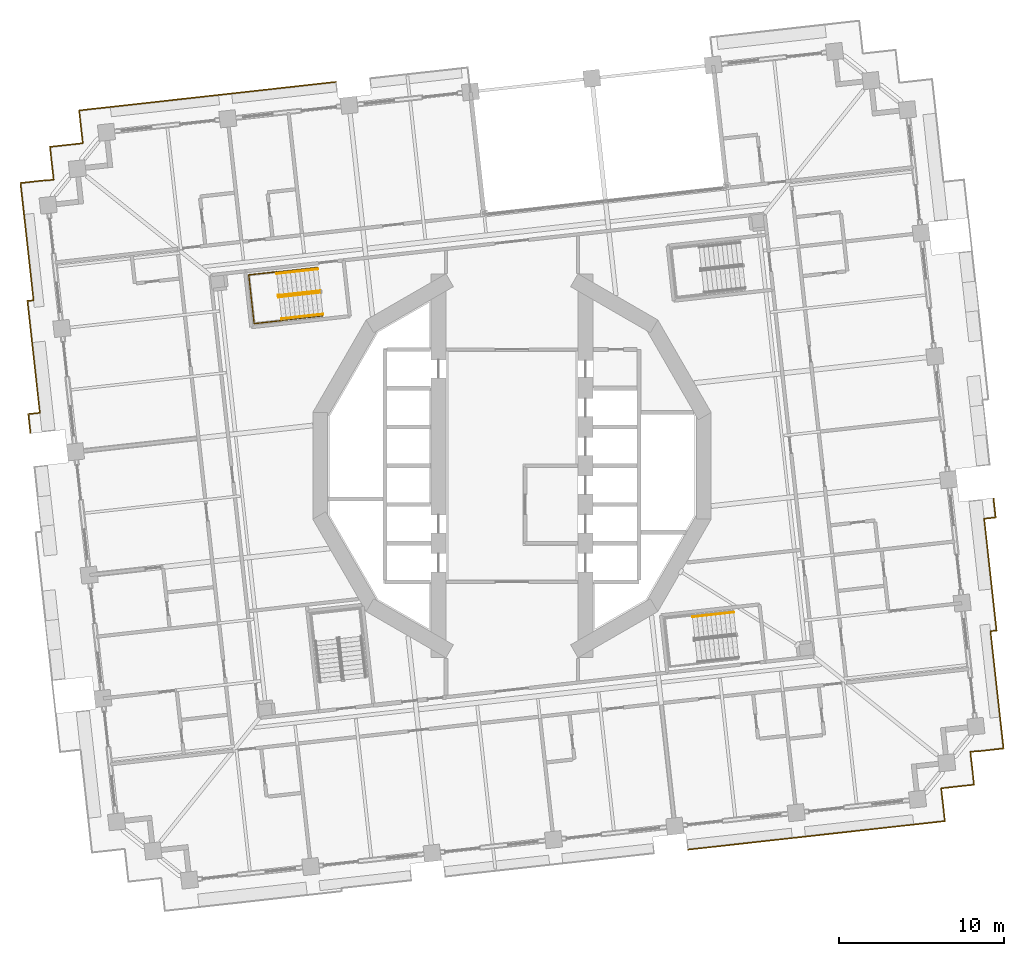
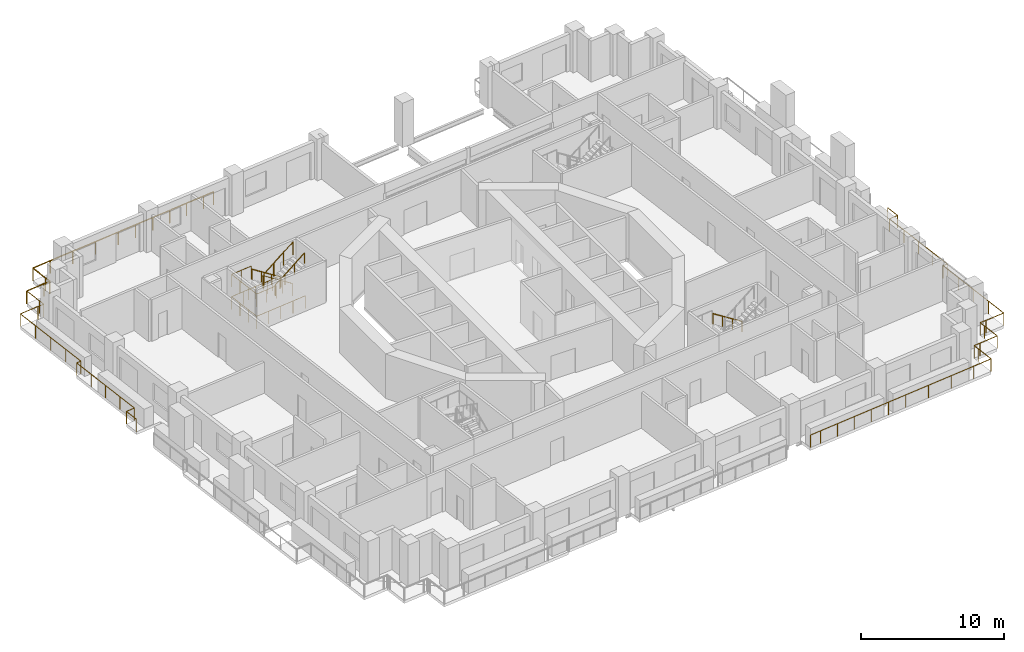
# One storey, part 17 of 20: 11 railings.
"""IFC4 building model written with IfcOpenShell, lengths in metres."""

from ifc_helpers import new_model, si_unit, direction, frame, origin, origin_2d, place, context, subcontext, project, spatial, circle, extrude, material, type_object, element, save


model = new_model("IFC4")

# Units and contexts
model_context = context("Model", 3, precision=1e-05, world=origin(), true_north=direction((0.0, 1.0)))
body_context = subcontext(model_context, "Body", "Model", "MODEL_VIEW")
ifc_project = project(units=[si_unit("LENGTHUNIT", "METRE"), si_unit("AREAUNIT", "SQUARE_METRE"), si_unit("VOLUMEUNIT", "CUBIC_METRE"), si_unit("PLANEANGLEUNIT", "RADIAN"), si_unit("MASSUNIT", "GRAM", prefix="KILO")], contexts=[model_context])

# Site, building, storey
site_placement = place(None, origin())
site = spatial("IfcSite", under=ifc_project, at=site_placement, CompositionType="ELEMENT")
building_placement = place(site_placement, origin())
building = spatial("IfcBuilding", under=site, at=building_placement, Name="Cantera Rosa Tower", CompositionType="ELEMENT")
storey_placement = place(building_placement, frame((0.0, 0.0, 46.300048828125)))
storey = spatial("IfcBuildingStorey", under=building, at=storey_placement, Name="L08", CompositionType="ELEMENT", Elevation=46.300048828125)

# Railings
ifc_material_1 = material(Name="Stainless steel and laminated glass", Category="steel")
railing_type_1 = type_object("IfcRailingType", Name="GUARD 1100", PredefinedType="BALUSTRADE", material=ifc_material_1)
railing_1_placement = place(storey_placement, frame((-28.003173828125, 19.328857421875, 0.0)))
element("IfcRailing", 1, at=railing_1_placement, inside=storey, type_object=railing_type_1, Name="GUARD L08-3", PredefinedType="BALUSTRADE", context=body_context, shape_type="SweptSolid", body=[
    extrude(circle(Radius=0.030029296875, at=origin_2d()), frame((0.0, 0.0, 1.070068359375), z_axis=(0.993893654236, 0.110342213455, 0.0), x_axis=(-0.110342213455, 0.993893654236, 0.0)), (0.0, 0.0, 1.0), 1.500244140625),
    extrude(circle(Radius=0.030029296875, at=origin_2d()), frame((1.490966796875, 0.16552734375, 1.070068359375), z_axis=(0.9938896893, 0.110377921269, 0.0), x_axis=(-0.110377921269, 0.9938896893, 0.0)), (0.0, 0.0, 1.0), 0.5),
    extrude(circle(Radius=0.030029296875, at=origin_2d()), frame((1.98779296875, 0.220703125, 1.070068359375), z_axis=(-0.110377921269, 0.9938896893, 0.0), x_axis=(-0.9938896893, -0.110377921269, 0.0)), (0.0, 0.0, 1.0), 0.5),
    extrude(circle(Radius=0.030029296875, at=origin_2d()), frame((1.9326171875, 0.717529296875, 1.070068359375), z_axis=(-0.110181444005, 0.99391148972, 0.0), x_axis=(-0.99391148972, -0.110181444005, 0.0)), (0.0, 0.0, 1.0), 1.5),
    extrude(circle(Radius=0.030029296875, at=origin_2d()), frame((1.767333984375, 2.20849609375, 1.070068359375), z_axis=(0.993909513469, 0.110199269672, 0.0), x_axis=(-0.110199269672, 0.993909513469, 0.0)), (0.0, 0.0, 1.0), 1.499755859375),
    extrude(circle(Radius=0.030029296875, at=origin_2d()), frame((3.258056640625, 2.373779296875, 1.070068359375), z_axis=(0.993896343916, 0.1103179838, 0.0), x_axis=(-0.1103179838, 0.993896343916, 0.0)), (0.0, 0.0, 1.0), 5.900146484375),
    extrude(circle(Radius=0.030029296875, at=origin_2d()), frame((9.1220703125, 3.024658203125, 1.070068359375), z_axis=(0.993892663362, 0.110351138256, 0.0), x_axis=(-0.110351138256, 0.993892663362, 0.0)), (0.0, 0.0, 1.0), 3.0),
    extrude(circle(Radius=0.030029296875, at=origin_2d()), frame((12.103759765625, 3.355712890625, 1.070068359375), z_axis=(0.993897260817, 0.110309722784, 0.0), x_axis=(-0.110309722784, 0.993897260817, 0.0)), (0.0, 0.0, 1.0), 4.39990234375),
    extrude(circle(Radius=0.030029296875, at=origin_2d()), frame((16.476806640625, 3.841064453125, 1.070068359375), z_axis=(0.993900832769, 0.110277534522, 0.0), x_axis=(-0.110277534522, 0.993900832769, 0.0)), (0.0, 0.0, 1.0), 0.8701171875),
    extrude(circle(Radius=0.02490234375, at=origin_2d()), origin(), (0.0, 0.0, 1.0), 1.0400390625),
    extrude(circle(Radius=0.02490234375, at=origin_2d()), frame((1.490966796875, 0.16552734375, 0.0)), (0.0, 0.0, 1.0), 1.0400390625),
    extrude(circle(Radius=0.02490234375, at=origin_2d()), frame((1.98779296875, 0.220703125, 0.0)), (0.0, 0.0, 1.0), 1.0400390625),
    extrude(circle(Radius=0.02490234375, at=origin_2d()), frame((1.9326171875, 0.717529296875, 0.0)), (0.0, 0.0, 1.0), 1.0400390625),
    extrude(circle(Radius=0.02490234375, at=origin_2d()), frame((1.767333984375, 2.20849609375, 0.0)), (0.0, 0.0, 1.0), 1.0400390625),
    extrude(circle(Radius=0.02490234375, at=origin_2d()), frame((3.258056640625, 2.373779296875, 0.0)), (0.0, 0.0, 1.0), 1.0400390625),
    extrude(circle(Radius=0.02490234375, at=origin_2d()), frame((5.212646484375, 2.5908203125, 0.0)), (0.0, 0.0, 1.0), 1.0400390625),
    extrude(circle(Radius=0.02490234375, at=origin_2d()), frame((7.16748046875, 2.8076171875, 0.0)), (0.0, 0.0, 1.0), 1.0400390625),
    extrude(circle(Radius=0.02490234375, at=origin_2d()), frame((9.1220703125, 3.024658203125, 0.0)), (0.0, 0.0, 1.0), 1.0400390625),
    extrude(circle(Radius=0.02490234375, at=origin_2d()), frame((10.61279296875, 3.190185546875, 0.0)), (0.0, 0.0, 1.0), 1.0400390625),
    extrude(circle(Radius=0.02490234375, at=origin_2d()), frame((12.103759765625, 3.355712890625, 0.0)), (0.0, 0.0, 1.0), 1.0400390625),
    extrude(circle(Radius=0.02490234375, at=origin_2d()), frame((13.5615234375, 3.517578125, 0.0)), (0.0, 0.0, 1.0), 1.0400390625),
    extrude(circle(Radius=0.02490234375, at=origin_2d()), frame((15.01904296875, 3.67919921875, 0.0)), (0.0, 0.0, 1.0), 1.0400390625),
    extrude(circle(Radius=0.02490234375, at=origin_2d()), frame((16.476806640625, 3.841064453125, 0.0)), (0.0, 0.0, 1.0), 1.0400390625),
    extrude(circle(Radius=0.02490234375, at=origin_2d()), frame((17.341552734375, 3.93701171875, 0.0)), (0.0, 0.0, 1.0), 1.0400390625),
])
railing_2_placement = place(storey_placement, frame((-29.184326171875, 1.982666015625, 0.0)))
element("IfcRailing", 2, at=railing_2_placement, inside=storey, type_object=railing_type_1, Name="GUARD L08-4", PredefinedType="BALUSTRADE", context=body_context, shape_type="SweptSolid", body=[
    extrude(circle(Radius=0.030029296875, at=origin_2d()), frame((0.0, 0.0, 1.070068359375), z_axis=(-0.110315771706, 0.993896589446, 0.0), x_axis=(-0.993896589446, -0.110315771706, 0.0)), (0.0, 0.0, 1.0), 1.157470703125),
    extrude(circle(Radius=0.030029296875, at=origin_2d()), frame((-0.127685546875, 1.150390625, 1.070068359375), z_axis=(0.993892249382, 0.110354866762, 0.0), x_axis=(-0.110354866762, 0.993892249382, 0.0)), (0.0, 0.0, 1.0), 0.698974609375),
    extrude(circle(Radius=0.030029296875, at=origin_2d()), frame((0.567138671875, 1.2275390625, 1.070068359375), z_axis=(-0.11030974647, 0.993897258188, 0.0), x_axis=(-0.993897258188, -0.11030974647, 0.0)), (0.0, 0.0, 1.0), 6.8212890625),
    extrude(circle(Radius=0.030029296875, at=origin_2d()), frame((-0.185302734375, 8.007080078125, 1.070068359375), z_axis=(0.993947743224, 0.109853919999, 0.0), x_axis=(-0.109853919999, 0.993947743224, 0.0)), (0.0, 0.0, 1.0), 0.37109375),
    extrude(circle(Radius=0.030029296875, at=origin_2d()), frame((0.18359375, 8.0478515625, 1.070068359375), z_axis=(-0.110307831849, 0.993897470684, 0.0), x_axis=(-0.993897470684, -0.110307831849, 0.0)), (0.0, 0.0, 1.0), 7.14892578125),
    extrude(circle(Radius=0.030029296875, at=origin_2d()), frame((-0.60498046875, 15.153076171875, 1.070068359375), z_axis=(0.993907259084, 0.11021960053, 0.0), x_axis=(-0.11021960053, 0.993907259084, 0.0)), (0.0, 0.0, 1.0), 1.517333984375),
    extrude(circle(Radius=0.030029296875, at=origin_2d()), frame((0.903076171875, 15.3203125, 1.070068359375), z_axis=(0.099503719021, -0.99503719021, 0.0), x_axis=(0.99503719021, 0.099503719021, 0.0)), (0.0, 0.0, 1.0), 0.01708984375),
    extrude(circle(Radius=0.030029296875, at=origin_2d()), frame((0.90478515625, 15.30322265625, 1.070068359375), z_axis=(0.993895635261, 0.110324368158, 0.0), x_axis=(-0.110324368158, 0.993895635261, 0.0)), (0.0, 0.0, 1.0), 0.500244140625),
    extrude(circle(Radius=0.030029296875, at=origin_2d()), frame((1.40185546875, 15.3583984375, 1.070068359375), z_axis=(-0.110324368158, 0.993895635261, 0.0), x_axis=(-0.993895635261, -0.110324368158, 0.0)), (0.0, 0.0, 1.0), 0.500244140625),
    extrude(circle(Radius=0.030029296875, at=origin_2d()), frame((1.3466796875, 15.85546875, 1.070068359375), z_axis=(-0.110360064491, 0.993891672249, 0.0), x_axis=(-0.993891672249, -0.110360064491, 0.0)), (0.0, 0.0, 1.0), 1.5),
    extrude(circle(Radius=0.02490234375, at=origin_2d()), origin(), (0.0, 0.0, 1.0), 1.0400390625),
    extrude(circle(Radius=0.02490234375, at=origin_2d()), frame((-0.127685546875, 1.150390625, 0.0)), (0.0, 0.0, 1.0), 1.0400390625),
    extrude(circle(Radius=0.02490234375, at=origin_2d()), frame((0.567138671875, 1.2275390625, 0.0)), (0.0, 0.0, 1.0), 1.0400390625),
    extrude(circle(Radius=0.02490234375, at=origin_2d()), frame((0.37890625, 2.92236328125, 0.0)), (0.0, 0.0, 1.0), 1.0400390625),
    extrude(circle(Radius=0.02490234375, at=origin_2d()), frame((0.19091796875, 4.6171875, 0.0)), (0.0, 0.0, 1.0), 1.0400390625),
    extrude(circle(Radius=0.02490234375, at=origin_2d()), frame((0.0029296875, 6.312255859375, 0.0)), (0.0, 0.0, 1.0), 1.0400390625),
    extrude(circle(Radius=0.02490234375, at=origin_2d()), frame((-0.185302734375, 8.007080078125, 0.0)), (0.0, 0.0, 1.0), 1.0400390625),
    extrude(circle(Radius=0.02490234375, at=origin_2d()), frame((0.18359375, 8.0478515625, 0.0)), (0.0, 0.0, 1.0), 1.0400390625),
    extrude(circle(Radius=0.02490234375, at=origin_2d()), frame((-0.013671875, 9.82421875, 0.0)), (0.0, 0.0, 1.0), 1.0400390625),
    extrude(circle(Radius=0.02490234375, at=origin_2d()), frame((-0.210693359375, 11.6005859375, 0.0)), (0.0, 0.0, 1.0), 1.0400390625),
    extrude(circle(Radius=0.02490234375, at=origin_2d()), frame((-0.40771484375, 13.376708984375, 0.0)), (0.0, 0.0, 1.0), 1.0400390625),
    extrude(circle(Radius=0.02490234375, at=origin_2d()), frame((-0.60498046875, 15.153076171875, 0.0)), (0.0, 0.0, 1.0), 1.0400390625),
    extrude(circle(Radius=0.02490234375, at=origin_2d()), frame((0.903076171875, 15.3203125, 0.0)), (0.0, 0.0, 1.0), 1.0400390625),
    extrude(circle(Radius=0.02490234375, at=origin_2d()), frame((0.90478515625, 15.30322265625, 0.0)), (0.0, 0.0, 1.0), 1.0400390625),
    extrude(circle(Radius=0.02490234375, at=origin_2d()), frame((1.40185546875, 15.3583984375, 0.0)), (0.0, 0.0, 1.0), 1.0400390625),
    extrude(circle(Radius=0.02490234375, at=origin_2d()), frame((1.3466796875, 15.85546875, 0.0)), (0.0, 0.0, 1.0), 1.0400390625),
    extrude(circle(Radius=0.02490234375, at=origin_2d()), frame((1.18115234375, 17.34619140625, 0.0)), (0.0, 0.0, 1.0), 1.0400390625),
])
railing_3_placement = place(storey_placement, frame((29.36962890625, -9.98974609375, 0.0)))
element("IfcRailing", 3, at=railing_3_placement, inside=storey, type_object=railing_type_1, Name="GUARD L08-7", PredefinedType="BALUSTRADE", context=body_context, shape_type="SweptSolid", body=[
    extrude(circle(Radius=0.030029296875, at=origin_2d()), frame((0.0, 0.0, 1.070068359375), z_axis=(-0.993947743224, -0.109853919999, 0.0), x_axis=(0.109853919999, -0.993947743224, 0.0)), (0.0, 0.0, 1.0), 0.37109375),
    extrude(circle(Radius=0.030029296875, at=origin_2d()), frame((-0.368896484375, -0.040771484375, 1.070068359375), z_axis=(0.110307831849, -0.993897470684, 0.0), x_axis=(0.993897470684, 0.110307831849, 0.0)), (0.0, 0.0, 1.0), 7.14892578125),
    extrude(circle(Radius=0.030029296875, at=origin_2d()), frame((0.419677734375, -7.14599609375, 1.070068359375), z_axis=(-0.993907259084, -0.11021960053, 0.0), x_axis=(0.11021960053, -0.993907259084, 0.0)), (0.0, 0.0, 1.0), 1.517333984375),
    extrude(circle(Radius=0.030029296875, at=origin_2d()), frame((-1.08837890625, -7.313232421875, 1.070068359375), z_axis=(-0.099503719021, 0.99503719021, 0.0), x_axis=(-0.99503719021, -0.099503719021, 0.0)), (0.0, 0.0, 1.0), 0.01708984375),
    extrude(circle(Radius=0.030029296875, at=origin_2d()), frame((-1.090087890625, -7.296142578125, 1.070068359375), z_axis=(-0.993895635261, -0.110324368158, 0.0), x_axis=(0.110324368158, -0.993895635261, 0.0)), (0.0, 0.0, 1.0), 0.500244140625),
    extrude(circle(Radius=0.030029296875, at=origin_2d()), frame((-1.587158203125, -7.351318359375, 1.070068359375), z_axis=(0.110324368158, -0.993895635261, 0.0), x_axis=(0.993895635261, 0.110324368158, 0.0)), (0.0, 0.0, 1.0), 0.500244140625),
    extrude(circle(Radius=0.030029296875, at=origin_2d()), frame((-1.531982421875, -7.848388671875, 1.070068359375), z_axis=(0.110360064491, -0.993891672249, 0.0), x_axis=(0.993891672249, 0.110360064491, 0.0)), (0.0, 0.0, 1.0), 1.5),
    extrude(circle(Radius=0.030029296875, at=origin_2d()), frame((-1.366455078125, -9.339111328125, 1.070068359375), z_axis=(-0.993893654236, -0.110342213455, 0.0), x_axis=(0.110342213455, -0.993893654236, 0.0)), (0.0, 0.0, 1.0), 1.500244140625),
    extrude(circle(Radius=0.030029296875, at=origin_2d()), frame((-2.857421875, -9.504638671875, 1.070068359375), z_axis=(-0.9938896893, -0.110377921269, 0.0), x_axis=(0.110377921269, -0.9938896893, 0.0)), (0.0, 0.0, 1.0), 0.5),
    extrude(circle(Radius=0.030029296875, at=origin_2d()), frame((-3.354248046875, -9.559814453125, 1.070068359375), z_axis=(0.110377921269, -0.9938896893, 0.0), x_axis=(0.9938896893, 0.110377921269, 0.0)), (0.0, 0.0, 1.0), 0.5),
    extrude(circle(Radius=0.030029296875, at=origin_2d()), frame((-3.299072265625, -10.056640625, 1.070068359375), z_axis=(0.110181444005, -0.99391148972, 0.0), x_axis=(0.99391148972, 0.110181444005, 0.0)), (0.0, 0.0, 1.0), 1.5),
    extrude(circle(Radius=0.030029296875, at=origin_2d()), frame((-3.1337890625, -11.547607421875, 1.070068359375), z_axis=(-0.993909513469, -0.110199269672, 0.0), x_axis=(0.110199269672, -0.993909513469, 0.0)), (0.0, 0.0, 1.0), 1.499755859375),
    extrude(circle(Radius=0.030029296875, at=origin_2d()), frame((-4.62451171875, -11.712890625, 1.070068359375), z_axis=(-0.993896343916, -0.1103179838, 0.0), x_axis=(0.1103179838, -0.993896343916, 0.0)), (0.0, 0.0, 1.0), 5.900146484375),
    extrude(circle(Radius=0.030029296875, at=origin_2d()), frame((-10.488525390625, -12.36376953125, 1.070068359375), z_axis=(-0.993892663362, -0.110351138256, 0.0), x_axis=(0.110351138256, -0.993892663362, 0.0)), (0.0, 0.0, 1.0), 3.0),
    extrude(circle(Radius=0.030029296875, at=origin_2d()), frame((-13.47021484375, -12.69482421875, 1.070068359375), z_axis=(-0.993897260817, -0.110309722784, 0.0), x_axis=(0.110309722784, -0.993897260817, 0.0)), (0.0, 0.0, 1.0), 4.39990234375),
    extrude(circle(Radius=0.030029296875, at=origin_2d()), frame((-17.84326171875, -13.18017578125, 1.070068359375), z_axis=(-0.993900832769, -0.110277534522, 0.0), x_axis=(0.110277534522, -0.993900832769, 0.0)), (0.0, 0.0, 1.0), 0.8701171875),
    extrude(circle(Radius=0.02490234375, at=origin_2d()), origin(), (0.0, 0.0, 1.0), 1.0400390625),
    extrude(circle(Radius=0.02490234375, at=origin_2d()), frame((-0.368896484375, -0.040771484375, 0.0)), (0.0, 0.0, 1.0), 1.0400390625),
    extrude(circle(Radius=0.02490234375, at=origin_2d()), frame((-0.171875, -1.817138671875, 0.0)), (0.0, 0.0, 1.0), 1.0400390625),
    extrude(circle(Radius=0.02490234375, at=origin_2d()), frame((0.025390625, -3.59326171875, 0.0)), (0.0, 0.0, 1.0), 1.0400390625),
    extrude(circle(Radius=0.02490234375, at=origin_2d()), frame((0.22265625, -5.36962890625, 0.0)), (0.0, 0.0, 1.0), 1.0400390625),
    extrude(circle(Radius=0.02490234375, at=origin_2d()), frame((0.419677734375, -7.14599609375, 0.0)), (0.0, 0.0, 1.0), 1.0400390625),
    extrude(circle(Radius=0.02490234375, at=origin_2d()), frame((-1.08837890625, -7.313232421875, 0.0)), (0.0, 0.0, 1.0), 1.0400390625),
    extrude(circle(Radius=0.02490234375, at=origin_2d()), frame((-1.090087890625, -7.296142578125, 0.0)), (0.0, 0.0, 1.0), 1.0400390625),
    extrude(circle(Radius=0.02490234375, at=origin_2d()), frame((-1.587158203125, -7.351318359375, 0.0)), (0.0, 0.0, 1.0), 1.0400390625),
    extrude(circle(Radius=0.02490234375, at=origin_2d()), frame((-1.531982421875, -7.848388671875, 0.0)), (0.0, 0.0, 1.0), 1.0400390625),
    extrude(circle(Radius=0.02490234375, at=origin_2d()), frame((-1.366455078125, -9.339111328125, 0.0)), (0.0, 0.0, 1.0), 1.0400390625),
    extrude(circle(Radius=0.02490234375, at=origin_2d()), frame((-2.857421875, -9.504638671875, 0.0)), (0.0, 0.0, 1.0), 1.0400390625),
    extrude(circle(Radius=0.02490234375, at=origin_2d()), frame((-3.354248046875, -9.559814453125, 0.0)), (0.0, 0.0, 1.0), 1.0400390625),
    extrude(circle(Radius=0.02490234375, at=origin_2d()), frame((-3.299072265625, -10.056640625, 0.0)), (0.0, 0.0, 1.0), 1.0400390625),
    extrude(circle(Radius=0.02490234375, at=origin_2d()), frame((-3.1337890625, -11.547607421875, 0.0)), (0.0, 0.0, 1.0), 1.0400390625),
    extrude(circle(Radius=0.02490234375, at=origin_2d()), frame((-4.62451171875, -11.712890625, 0.0)), (0.0, 0.0, 1.0), 1.0400390625),
    extrude(circle(Radius=0.02490234375, at=origin_2d()), frame((-6.5791015625, -11.929931640625, 0.0)), (0.0, 0.0, 1.0), 1.0400390625),
    extrude(circle(Radius=0.02490234375, at=origin_2d()), frame((-8.533935546875, -12.146728515625, 0.0)), (0.0, 0.0, 1.0), 1.0400390625),
    extrude(circle(Radius=0.02490234375, at=origin_2d()), frame((-10.488525390625, -12.36376953125, 0.0)), (0.0, 0.0, 1.0), 1.0400390625),
    extrude(circle(Radius=0.02490234375, at=origin_2d()), frame((-11.9794921875, -12.529296875, 0.0)), (0.0, 0.0, 1.0), 1.0400390625),
    extrude(circle(Radius=0.02490234375, at=origin_2d()), frame((-13.47021484375, -12.69482421875, 0.0)), (0.0, 0.0, 1.0), 1.0400390625),
    extrude(circle(Radius=0.02490234375, at=origin_2d()), frame((-14.927978515625, -12.856689453125, 0.0)), (0.0, 0.0, 1.0), 1.0400390625),
    extrude(circle(Radius=0.02490234375, at=origin_2d()), frame((-16.385498046875, -13.018310546875, 0.0)), (0.0, 0.0, 1.0), 1.0400390625),
    extrude(circle(Radius=0.02490234375, at=origin_2d()), frame((-17.84326171875, -13.18017578125, 0.0)), (0.0, 0.0, 1.0), 1.0400390625),
    extrude(circle(Radius=0.02490234375, at=origin_2d()), frame((-18.7080078125, -13.276123046875, 0.0)), (0.0, 0.0, 1.0), 1.0400390625),
])
railing_4_placement = place(storey_placement, frame((29.184326171875, -1.982666015625, 0.0)))
element("IfcRailing", 4, at=railing_4_placement, inside=storey, type_object=railing_type_1, Name="GUARD L08-8", PredefinedType="BALUSTRADE", context=body_context, shape_type="SweptSolid", body=[
    extrude(circle(Radius=0.030029296875, at=origin_2d()), frame((0.0, 0.0, 1.070068359375), z_axis=(0.110315771706, -0.993896589446, 0.0), x_axis=(0.993896589446, 0.110315771706, 0.0)), (0.0, 0.0, 1.0), 1.157470703125),
    extrude(circle(Radius=0.030029296875, at=origin_2d()), frame((0.127685546875, -1.150390625, 1.070068359375), z_axis=(-0.993892249382, -0.110354866762, 0.0), x_axis=(0.110354866762, -0.993892249382, 0.0)), (0.0, 0.0, 1.0), 0.698974609375),
    extrude(circle(Radius=0.030029296875, at=origin_2d()), frame((-0.567138671875, -1.2275390625, 1.070068359375), z_axis=(0.11030974647, -0.993897258188, 0.0), x_axis=(0.993897258188, 0.11030974647, 0.0)), (0.0, 0.0, 1.0), 6.8212890625),
    extrude(circle(Radius=0.02490234375, at=origin_2d()), origin(), (0.0, 0.0, 1.0), 1.0400390625),
    extrude(circle(Radius=0.02490234375, at=origin_2d()), frame((0.127685546875, -1.150390625, 0.0)), (0.0, 0.0, 1.0), 1.0400390625),
    extrude(circle(Radius=0.02490234375, at=origin_2d()), frame((-0.567138671875, -1.2275390625, 0.0)), (0.0, 0.0, 1.0), 1.0400390625),
    extrude(circle(Radius=0.02490234375, at=origin_2d()), frame((-0.37890625, -2.92236328125, 0.0)), (0.0, 0.0, 1.0), 1.0400390625),
    extrude(circle(Radius=0.02490234375, at=origin_2d()), frame((-0.19091796875, -4.6171875, 0.0)), (0.0, 0.0, 1.0), 1.0400390625),
    extrude(circle(Radius=0.02490234375, at=origin_2d()), frame((-0.0029296875, -6.312255859375, 0.0)), (0.0, 0.0, 1.0), 1.0400390625),
    extrude(circle(Radius=0.02490234375, at=origin_2d()), frame((0.185302734375, -8.007080078125, 0.0)), (0.0, 0.0, 1.0), 1.0400390625),
])
ifc_material_2 = material(Name="Steel S355J2 (EN 10025-2)", Category="steel")
railing_type_2 = type_object("IfcRailingType", Name="STAIR GUARD 1100", PredefinedType="GUARDRAIL", material=ifc_material_2)
railing_5_placement = place(storey_placement, frame((-11.614013671875, 10.60302734375, 0.18994140625)))
element("IfcRailing", 5, at=railing_5_placement, inside=storey, type_object=railing_type_2, Name="L08 ST-12 stair guard 1", PredefinedType="GUARDRAIL", context=body_context, shape_type="SweptSolid", body=[
    extrude(circle(Radius=0.02392578125, at=origin_2d()), frame((0.0, 0.0, 1.076171875), z_axis=(-0.822437355244, -0.09123050105, 0.561492468674), x_axis=(0.110250758185, -0.993903803353, 0.0)), (0.0, 0.0, 1.0), 3.04541015625),
    extrude(circle(Radius=0.02392578125, at=origin_2d()), frame((-2.504638671875, -0.27783203125, 2.7861328125), z_axis=(-0.932897555956, 0.360141847183, 0.0), x_axis=(-0.360141847183, -0.932897555956, 0.0)), (0.0, 0.0, 1.0), 0.05615234375),
    extrude(circle(Radius=0.02392578125, at=origin_2d()), frame((-2.55712890625, -0.257568359375, 2.7861328125), z_axis=(0.110610055588, -0.993863881828, 0.0), x_axis=(0.993863881828, 0.110610055588, 0.0)), (0.0, 0.0, 1.0), 0.150146484375),
    extrude(circle(Radius=0.02099609375, at=origin_2d()), origin(), (0.0, 0.0, 1.0), 1.052001953125),
    extrude(circle(Radius=0.02099609375, at=origin_2d()), frame((-0.8349609375, -0.092529296875, 0.570068359375)), (0.0, 0.0, 1.0), 1.052001953125),
    extrude(circle(Radius=0.02099609375, at=origin_2d()), frame((-1.669677734375, -0.185302734375, 1.139892578125)), (0.0, 0.0, 1.0), 1.052001953125),
    extrude(circle(Radius=0.02099609375, at=origin_2d()), frame((-2.504638671875, -0.27783203125, 1.7099609375)), (0.0, 0.0, 1.0), 1.052001953125),
    extrude(circle(Radius=0.02099609375, at=origin_2d()), frame((-2.55712890625, -0.257568359375, 1.7099609375)), (0.0, 0.0, 1.0), 1.052001953125),
    extrude(circle(Radius=0.02099609375, at=origin_2d()), frame((-2.54052734375, -0.40673828125, 1.7099609375)), (0.0, 0.0, 1.0), 1.052001953125),
])
railing_6_placement = place(storey_placement, frame((-14.107666015625, 10.227783203125, 2.08984375)))
element("IfcRailing", 6, at=railing_6_placement, inside=storey, type_object=railing_type_2, Name="L08 ST-12 stair guard 2", PredefinedType="GUARDRAIL", context=body_context, shape_type="SweptSolid", body=[
    extrude(circle(Radius=0.02392578125, at=origin_2d()), frame((0.0, 0.0, 1.076171875), z_axis=(0.822400334406, 0.091226394439, 0.561547357688), x_axis=(-0.110250758185, 0.993903803353, 0.0)), (0.0, 0.0, 1.0), 3.04541015625),
    extrude(circle(Radius=0.02099609375, at=origin_2d()), origin(), (0.0, 0.0, 1.0), 1.052001953125),
    extrude(circle(Radius=0.02099609375, at=origin_2d()), frame((0.8349609375, 0.092529296875, 0.570068359375)), (0.0, 0.0, 1.0), 1.052001953125),
    extrude(circle(Radius=0.02099609375, at=origin_2d()), frame((1.669677734375, 0.185302734375, 1.14013671875)), (0.0, 0.0, 1.0), 1.052001953125),
    extrude(circle(Radius=0.02099609375, at=origin_2d()), frame((2.504638671875, 0.27783203125, 1.710205078125)), (0.0, 0.0, 1.0), 1.052001953125),
])
railing_7_placement = place(storey_placement, frame((-11.7841796875, 12.029052734375, 0.0)))
element("IfcRailing", 7, at=railing_7_placement, inside=storey, type_object=railing_type_2, Name="L08 ST-12 stair guard 4", PredefinedType="GUARDRAIL", context=body_context, shape_type="SweptSolid", body=[
    extrude(circle(Radius=0.02392578125, at=origin_2d()), frame((0.0, 0.0, 1.076171875), z_axis=(-0.9938957856, -0.110323013767, 0.0), x_axis=(0.110323013767, -0.9938957856, 0.0)), (0.0, 0.0, 1.0), 4.197998046875),
    extrude(circle(Radius=0.02392578125, at=origin_2d()), frame((-4.17236328125, -0.463134765625, 1.076171875), z_axis=(0.11023303584, -0.99390576908, 0.0), x_axis=(0.99390576908, 0.11023303584, 0.0)), (0.0, 0.0, 1.0), 2.969970703125),
    extrude(circle(Radius=0.02392578125, at=origin_2d()), frame((-3.844970703125, -3.4150390625, 1.076171875), z_axis=(0.993896493372, 0.11031663729, 0.0), x_axis=(-0.11031663729, 0.993896493372, 0.0)), (0.0, 0.0, 1.0), 4.1982421875),
    extrude(circle(Radius=0.02099609375, at=origin_2d()), origin(), (0.0, 0.0, 1.0), 1.052001953125),
    extrude(circle(Radius=0.02099609375, at=origin_2d()), frame((-1.04296875, -0.11572265625, 0.0)), (0.0, 0.0, 1.0), 1.052001953125),
    extrude(circle(Radius=0.02099609375, at=origin_2d()), frame((-2.086181640625, -0.2314453125, 0.0)), (0.0, 0.0, 1.0), 1.052001953125),
    extrude(circle(Radius=0.02099609375, at=origin_2d()), frame((-3.12939453125, -0.347412109375, 0.0)), (0.0, 0.0, 1.0), 1.052001953125),
    extrude(circle(Radius=0.02099609375, at=origin_2d()), frame((-4.17236328125, -0.463134765625, 0.0)), (0.0, 0.0, 1.0), 1.052001953125),
    extrude(circle(Radius=0.02099609375, at=origin_2d()), frame((-4.063232421875, -1.447021484375, 0.0)), (0.0, 0.0, 1.0), 1.052001953125),
    extrude(circle(Radius=0.02099609375, at=origin_2d()), frame((-3.9541015625, -2.43115234375, 0.0)), (0.0, 0.0, 1.0), 1.052001953125),
    extrude(circle(Radius=0.02099609375, at=origin_2d()), frame((-3.844970703125, -3.4150390625, 0.0)), (0.0, 0.0, 1.0), 1.052001953125),
    extrude(circle(Radius=0.02099609375, at=origin_2d()), frame((-2.8017578125, -3.29931640625, 0.0)), (0.0, 0.0, 1.0), 1.052001953125),
    extrude(circle(Radius=0.02099609375, at=origin_2d()), frame((-1.7587890625, -3.18359375, 0.0)), (0.0, 0.0, 1.0), 1.052001953125),
    extrude(circle(Radius=0.02099609375, at=origin_2d()), frame((-0.715576171875, -3.067626953125, 0.0)), (0.0, 0.0, 1.0), 1.052001953125),
    extrude(circle(Radius=0.02099609375, at=origin_2d()), frame((0.32763671875, -2.951904296875, 0.0)), (0.0, 0.0, 1.0), 1.052001953125),
])
railing_8_placement = place(storey_placement, frame((-14.26513671875, 11.753662109375, 1.89990234375)))
element("IfcRailing", 8, at=railing_8_placement, inside=storey, type_object=railing_type_2, Name="L08 ST-12 stair guard 5", PredefinedType="GUARDRAIL", context=body_context, shape_type="SweptSolid", body=[
    extrude(circle(Radius=0.02392578125, at=origin_2d()), frame((0.0, 0.0, 1.076171875), z_axis=(-0.99389597521, -0.110321305562, 0.0), x_axis=(0.110321305562, -0.99389597521, 0.0)), (0.0, 0.0, 1.0), 1.701904296875),
    extrude(circle(Radius=0.02392578125, at=origin_2d()), frame((-1.69140625, -0.187744140625, 1.076171875), z_axis=(0.11023303584, -0.99390576908, 0.0), x_axis=(0.99390576908, 0.11023303584, 0.0)), (0.0, 0.0, 1.0), 2.969970703125),
    extrude(circle(Radius=0.02392578125, at=origin_2d()), frame((-1.364013671875, -3.1396484375, 1.076171875), z_axis=(0.993897720867, 0.110305577623, 0.0), x_axis=(-0.110305577623, 0.993897720867, 0.0)), (0.0, 0.0, 1.0), 1.7021484375),
    extrude(circle(Radius=0.02099609375, at=origin_2d()), origin(), (0.0, 0.0, 1.0), 1.052001953125),
    extrude(circle(Radius=0.02099609375, at=origin_2d()), frame((-0.845703125, -0.09375, 0.0)), (0.0, 0.0, 1.0), 1.052001953125),
    extrude(circle(Radius=0.02099609375, at=origin_2d()), frame((-1.69140625, -0.187744140625, 0.0)), (0.0, 0.0, 1.0), 1.052001953125),
    extrude(circle(Radius=0.02099609375, at=origin_2d()), frame((-1.582275390625, -1.171630859375, 0.0)), (0.0, 0.0, 1.0), 1.052001953125),
    extrude(circle(Radius=0.02099609375, at=origin_2d()), frame((-1.47314453125, -2.15576171875, 0.0)), (0.0, 0.0, 1.0), 1.052001953125),
    extrude(circle(Radius=0.02099609375, at=origin_2d()), frame((-1.364013671875, -3.1396484375, 0.0)), (0.0, 0.0, 1.0), 1.052001953125),
    extrude(circle(Radius=0.02099609375, at=origin_2d()), frame((-0.51806640625, -3.0458984375, 0.0)), (0.0, 0.0, 1.0), 1.052001953125),
    extrude(circle(Radius=0.02099609375, at=origin_2d()), frame((0.32763671875, -2.951904296875, 0.0)), (0.0, 0.0, 1.0), 1.052001953125),
])
ifc_material_3 = material(Name="Steel S355J2 (EN 10025-2)", Category="steel")
railing_type_3 = type_object("IfcRailingType", Name="STAIR HANDRAIL 900", PredefinedType="HANDRAIL", material=ifc_material_3)
railing_9_placement = place(storey_placement, frame((-11.76025390625, 11.921142578125, 0.18994140625)))
element("IfcRailing", 9, at=railing_9_placement, inside=storey, type_object=railing_type_3, Name="L08 ST-12 stair handrail 1", PredefinedType="HANDRAIL", context=body_context, shape_type="SweptSolid", body=[
    extrude(circle(Radius=0.02392578125, at=origin_2d()), frame((0.0, 0.0, 0.8759765625), z_axis=(-0.822431337597, -0.091310000343, 0.561488360321), x_axis=(0.110346460196, -0.993893182753, 0.0)), (0.0, 0.0, 1.0), 3.04541015625),
    extrude(circle(Radius=0.02099609375, at=origin_2d()), origin(), (0.0, 0.0, 1.0), 0.851806640625),
    extrude(circle(Radius=0.02099609375, at=origin_2d()), frame((-0.8349609375, -0.0927734375, 0.570068359375)), (0.0, 0.0, 1.0), 0.851806640625),
    extrude(circle(Radius=0.02099609375, at=origin_2d()), frame((-1.669677734375, -0.185302734375, 1.139892578125)), (0.0, 0.0, 1.0), 0.851806640625),
    extrude(circle(Radius=0.02099609375, at=origin_2d()), frame((-2.504638671875, -0.278076171875, 1.7099609375)), (0.0, 0.0, 1.0), 0.851806640625),
])
railing_10_placement = place(storey_placement, frame((-13.96142578125, 8.909912109375, 2.08984375)))
element("IfcRailing", 10, at=railing_10_placement, inside=storey, type_object=railing_type_3, Name="L08 ST-12 stair handrail 2", PredefinedType="HANDRAIL", context=body_context, shape_type="SweptSolid", body=[
    extrude(circle(Radius=0.02392578125, at=origin_2d()), frame((0.0, 0.0, 0.8759765625), z_axis=(0.822400334406, 0.091226394439, 0.561547357688), x_axis=(-0.110250758185, 0.993903803353, 0.0)), (0.0, 0.0, 1.0), 3.04541015625),
    extrude(circle(Radius=0.02099609375, at=origin_2d()), origin(), (0.0, 0.0, 1.0), 0.851806640625),
    extrude(circle(Radius=0.02099609375, at=origin_2d()), frame((0.8349609375, 0.092529296875, 0.570068359375)), (0.0, 0.0, 1.0), 0.851806640625),
    extrude(circle(Radius=0.02099609375, at=origin_2d()), frame((1.669677734375, 0.185302734375, 1.14013671875)), (0.0, 0.0, 1.0), 0.851806640625),
    extrude(circle(Radius=0.02099609375, at=origin_2d()), frame((2.504638671875, 0.27783203125, 1.710205078125)), (0.0, 0.0, 1.0), 0.851806640625),
])
railing_11_placement = place(storey_placement, frame((13.439697265625, -8.87890625, 0.18994140625)))
element("IfcRailing", 11, at=railing_11_placement, inside=storey, type_object=railing_type_3, Name="L08 ST-14 stair handrail 1", PredefinedType="HANDRAIL", context=body_context, shape_type="SweptSolid", body=[
    extrude(circle(Radius=0.02392578125, at=origin_2d()), frame((0.0, 0.0, 0.8759765625), z_axis=(-0.822431337597, -0.091310000343, 0.561488360321), x_axis=(0.110346460196, -0.993893182753, 0.0)), (0.0, 0.0, 1.0), 3.04541015625),
    extrude(circle(Radius=0.02099609375, at=origin_2d()), origin(), (0.0, 0.0, 1.0), 0.851806640625),
    extrude(circle(Radius=0.02099609375, at=origin_2d()), frame((-0.8349609375, -0.0927734375, 0.570068359375)), (0.0, 0.0, 1.0), 0.851806640625),
    extrude(circle(Radius=0.02099609375, at=origin_2d()), frame((-1.669677734375, -0.185302734375, 1.139892578125)), (0.0, 0.0, 1.0), 0.851806640625),
    extrude(circle(Radius=0.02099609375, at=origin_2d()), frame((-2.504638671875, -0.278076171875, 1.7099609375)), (0.0, 0.0, 1.0), 0.851806640625),
])

save(model, "model.ifc")
